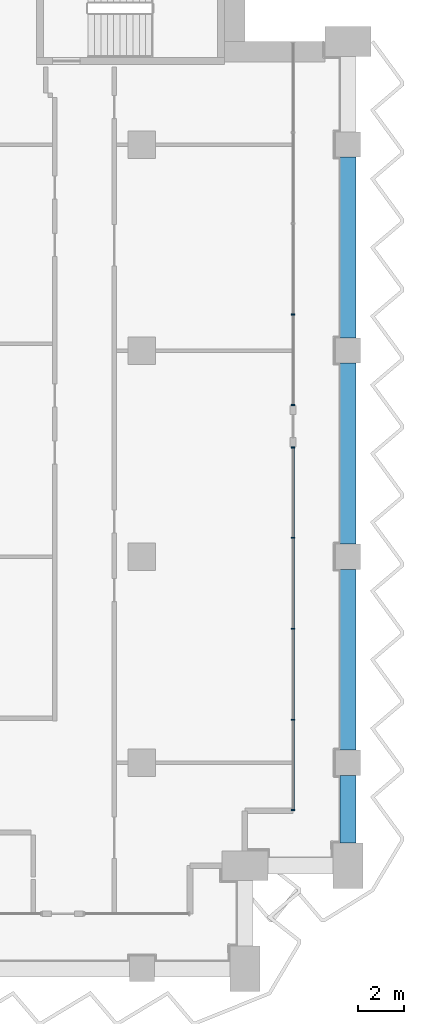
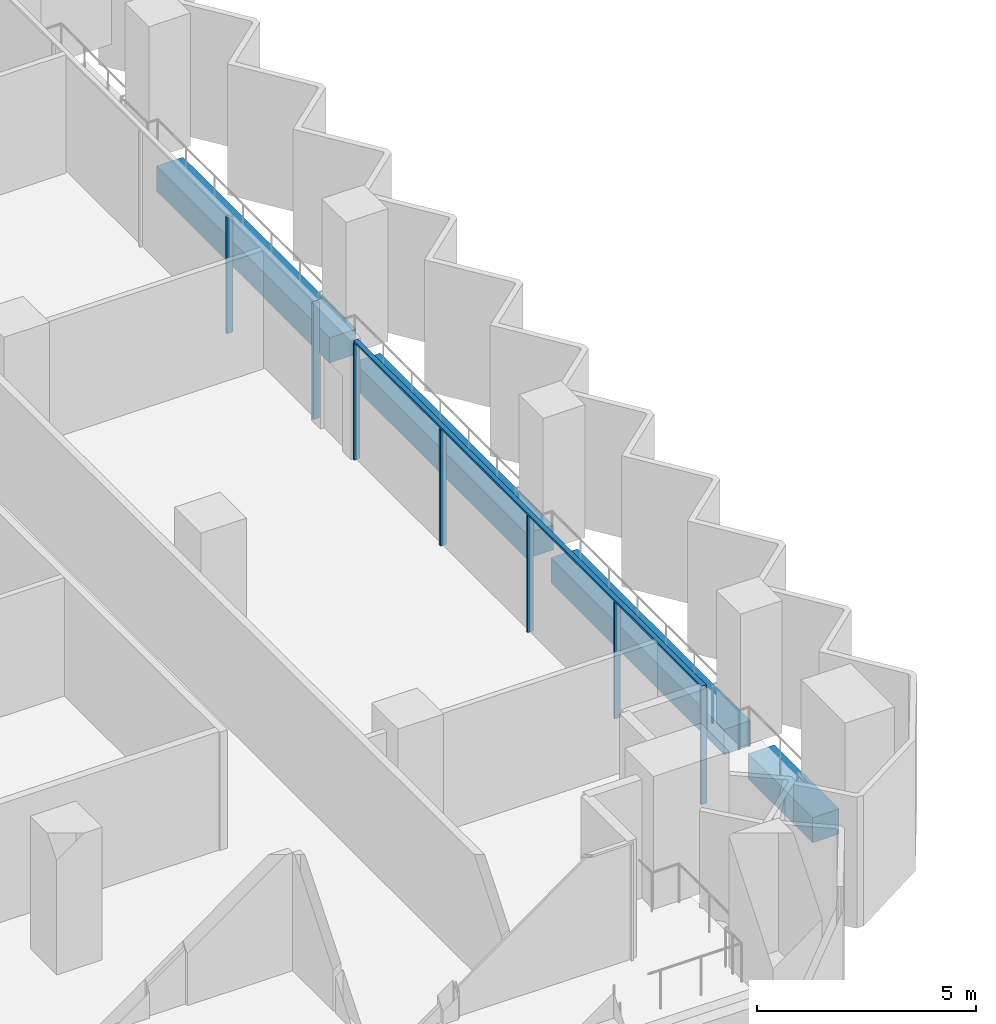
# One storey, part 5 of 23: 8 members, 4 beams, 2 elements without a shape of their own.
"""IFC4 building model written with IfcOpenShell, lengths in metres."""

from ifc_helpers import new_model, si_unit, direction, frame, origin, origin_2d, place, context, subcontext, project, spatial, rectangle, extrude, material, material_profile, profile_set, type_object, element, aggregate, save


model = new_model("IFC4")

# Units and contexts
model_context = context("Model", 3, precision=1e-05, world=origin(), true_north=direction((0.0, 1.0)))
body_context = subcontext(model_context, "Body", "Model", "MODEL_VIEW")
ifc_project = project(units=[si_unit("LENGTHUNIT", "METRE"), si_unit("AREAUNIT", "SQUARE_METRE"), si_unit("VOLUMEUNIT", "CUBIC_METRE"), si_unit("PLANEANGLEUNIT", "RADIAN"), si_unit("MASSUNIT", "GRAM", prefix="KILO")], contexts=[model_context])

# Site, building, storey
site_placement = place(None, origin())
site = spatial("IfcSite", under=ifc_project, at=site_placement, CompositionType="ELEMENT")
building_placement = place(site_placement, origin())
building = spatial("IfcBuilding", under=site, at=building_placement, Name="Hunhe Ridgeline Campus", CompositionType="ELEMENT")
storey_placement = place(building_placement, frame((0.0, 0.0, 152.300048828125)))
storey = spatial("IfcBuildingStorey", under=building, at=storey_placement, Name="L38", CompositionType="ELEMENT", Elevation=152.300048828125)

# Curtain wall, members
ifc_material_1 = material(Name="Aluminium 6063", Category="aluminium")
curtain_wall_type = type_object("IfcCurtainWallType", Name="Curtain wall CW-1", PredefinedType="NOTDEFINED", material=ifc_material_1)
curtain_wall_1_placement = place(storey_placement, origin())
curtain_wall_1 = element("IfcCurtainWall", 1, at=curtain_wall_1_placement, inside=storey, type_object=curtain_wall_type, Name="Curtain wall 14", PredefinedType="NOTDEFINED")
ifc_material_profile_1 = material_profile(ifc_material_1, rectangle(XDim=0.159912109375, YDim=0.06005859375, at=origin_2d()))
ifc_profile_set_1 = profile_set([ifc_material_profile_1], Name="Aluminium 6063")
member_type_1 = type_object("IfcMemberType", Name="CW-1 aluminium mullion", PredefinedType="MULLION", material=ifc_profile_set_1)
member_1_placement = place(storey_placement, frame((60.59912109375, 60.930908203125, 0.0), z_axis=(0.0, 0.0, 1.0), x_axis=(-1.0, 0.0, 0.0)))
member_1 = element("IfcMember", 2, at=member_1_placement, type_object=member_type_1, Name="CW-1 mullion 1", PredefinedType="MULLION", context=body_context, shape_type="SweptSolid", body=[
    extrude(rectangle(XDim=0.159912109375, YDim=0.06005859375, at=origin_2d()), origin(), (0.0, 0.0, 1.0), 3.239990234375),
])
member_2_placement = place(storey_placement, frame((60.59912109375, 64.8759765625, 0.0), z_axis=(0.0, 0.0, 1.0), x_axis=(-1.0, 0.0, 0.0)))
member_2 = element("IfcMember", 3, at=member_2_placement, type_object=member_type_1, Name="CW-1 mullion 2", PredefinedType="MULLION", context=body_context, shape_type="SweptSolid", body=[
    extrude(rectangle(XDim=0.159912109375, YDim=0.06005859375, at=origin_2d()), origin(), (0.0, 0.0, 1.0), 3.239990234375),
])
member_3_placement = place(storey_placement, frame((60.59912109375, 68.850830078125, 0.0), z_axis=(0.0, 0.0, 1.0), x_axis=(-1.0, 0.0, 0.0)))
member_3 = element("IfcMember", 4, at=member_3_placement, type_object=member_type_1, Name="CW-1 mullion 3", PredefinedType="MULLION", context=body_context, shape_type="SweptSolid", body=[
    extrude(rectangle(XDim=0.159912109375, YDim=0.06005859375, at=origin_2d()), origin(), (0.0, 0.0, 1.0), 3.239990234375),
])
member_4_placement = place(storey_placement, frame((60.59912109375, 72.82568359375, 0.0), z_axis=(0.0, 0.0, 1.0), x_axis=(-1.0, 0.0, 0.0)))
member_4 = element("IfcMember", 5, at=member_4_placement, type_object=member_type_1, Name="CW-1 mullion 4", PredefinedType="MULLION", context=body_context, shape_type="SweptSolid", body=[
    extrude(rectangle(XDim=0.159912109375, YDim=0.06005859375, at=origin_2d()), origin(), (0.0, 0.0, 1.0), 3.239990234375),
])
member_5_placement = place(storey_placement, frame((60.59912109375, 76.7705078125, 0.0), z_axis=(0.0, 0.0, 1.0), x_axis=(-1.0, 0.0, 0.0)))
member_5 = element("IfcMember", 6, at=member_5_placement, type_object=member_type_1, Name="CW-1 mullion 5", PredefinedType="MULLION", context=body_context, shape_type="SweptSolid", body=[
    extrude(rectangle(XDim=0.159912109375, YDim=0.06005859375, at=origin_2d()), origin(), (0.0, 0.0, 1.0), 3.239990234375),
])

curtain_wall_2_placement = place(storey_placement, origin())
curtain_wall_2 = element("IfcCurtainWall", 7, at=curtain_wall_2_placement, inside=storey, type_object=curtain_wall_type, Name="Curtain wall 15", PredefinedType="NOTDEFINED")
member_6_placement = place(storey_placement, frame((60.59912109375, 78.630615234375, 0.0), z_axis=(0.0, 0.0, 1.0), x_axis=(-1.0, 0.0, 0.0)))
member_6 = element("IfcMember", 8, at=member_6_placement, type_object=member_type_1, Name="CW-1 mullion 1", PredefinedType="MULLION", context=body_context, shape_type="SweptSolid", body=[
    extrude(rectangle(XDim=0.159912109375, YDim=0.06005859375, at=origin_2d()), origin(), (0.0, 0.0, 1.0), 3.239990234375),
])
member_7_placement = place(storey_placement, frame((60.59912109375, 82.575439453125, 0.0), z_axis=(0.0, 0.0, 1.0), x_axis=(-1.0, 0.0, 0.0)))
member_7 = element("IfcMember", 9, at=member_7_placement, type_object=member_type_1, Name="CW-1 mullion 2", PredefinedType="MULLION", context=body_context, shape_type="SweptSolid", body=[
    extrude(rectangle(XDim=0.159912109375, YDim=0.06005859375, at=origin_2d()), origin(), (0.0, 0.0, 1.0), 3.239990234375),
])
aggregate(curtain_wall_2, [member_6, member_7])

# Member
ifc_material_profile_2 = material_profile(ifc_material_1, rectangle(XDim=0.1201171875, YDim=0.06005859375, at=origin_2d()))
ifc_profile_set_2 = profile_set([ifc_material_profile_2], Name="Aluminium 6063")
member_type_2 = type_object("IfcMemberType", Name="CW-1 aluminium transom", PredefinedType="USERDEFINED", material=ifc_profile_set_2)
member_8_placement = place(storey_placement, frame((60.59912109375, 60.90087890625, 3.27001953125), z_axis=(0.0, 1.0, 0.0), x_axis=(-1.0, 0.0, 0.0)))
member_8 = element("IfcMember", 10, at=member_8_placement, type_object=member_type_2, Name="CW-1 transom 1", ObjectType="TRANSOM", PredefinedType="USERDEFINED", context=body_context, shape_type="SweptSolid", body=[
    extrude(rectangle(XDim=0.1201171875, YDim=0.06005859375, at=origin_2d()), origin(), (0.0, 0.0, 1.0), 15.899658203125),
])

aggregate(curtain_wall_1, [member_8, member_1, member_2, member_3, member_4, member_5])

# Beams
ifc_material_2 = material(Name="Concrete C60", Category="concrete")
ifc_material_profile_3 = material_profile(ifc_material_2, rectangle(XDim=0.699951171875, YDim=0.699951171875, at=origin_2d()))
ifc_profile_set_3 = profile_set([ifc_material_profile_3], Name="Concrete C60")
beam_type = type_object("IfcBeamType", Name="RC spandrel beam 700x700 Concrete C60", PredefinedType="SPANDREL", material=ifc_profile_set_3)
beam_placement = place(storey_placement, frame((63.0, 59.5, -0.60009765625), z_axis=(0.0, 1.0, 0.0), x_axis=(-1.0, 0.0, 0.0)))
element("IfcBeam", 11, at=beam_placement, inside=storey, type_object=beam_type, Name="Spandrel beam B2-16 L38", PredefinedType="SPANDREL", context=body_context, shape_type="SweptSolid", body=[
    extrude(rectangle(XDim=0.699951171875, YDim=0.699951171875, at=origin_2d()), origin(), (0.0, 0.0, 1.0), 2.949951171875),
])
for number, where, z_axis, x_axis, name in (
    (12, (63.0, 63.550048828125, -0.60009765625), (0.0, 1.0, 0.0), (-1.0, 0.0, 0.0), "Spandrel beam B2-17 L38"),
    (13, (63.0, 72.550048828125, -0.60009765625), (0.0, 1.0, 0.0), (-1.0, 0.0, 0.0), "Spandrel beam B2-18 L38"),
    (14, (63.0, 81.550048828125, -0.60009765625), (0.0, 1.0, 0.0), (-1.0, 0.0, 0.0), "Spandrel beam B2-19 L38"),
):
    element("IfcBeam", number, at=place(storey_placement, frame(where, z_axis=z_axis, x_axis=x_axis)), inside=storey, type_object=beam_type, Name=name, PredefinedType="SPANDREL", context=body_context, shape_type="SweptSolid", body=[
        extrude(rectangle(XDim=0.699951171875, YDim=0.699951171875, at=origin_2d()), origin(), (0.0, 0.0, 1.0), 7.89990234375),
    ])

save(model, "model.ifc")
